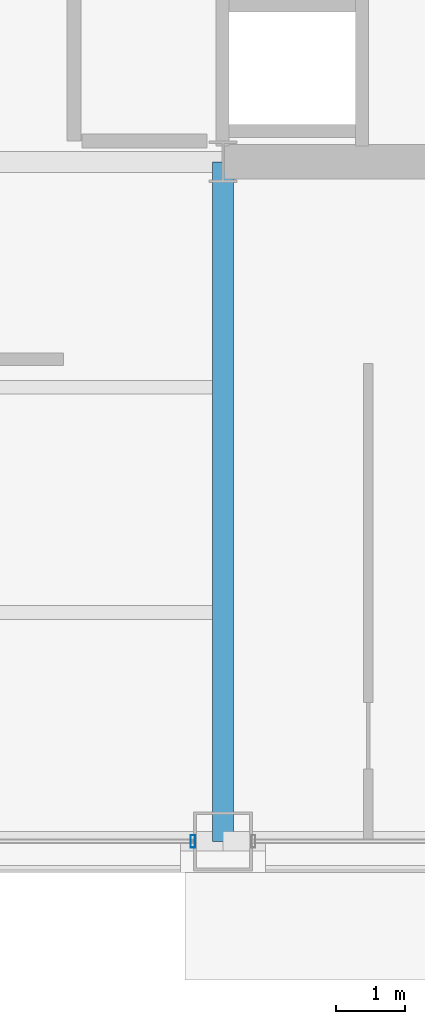
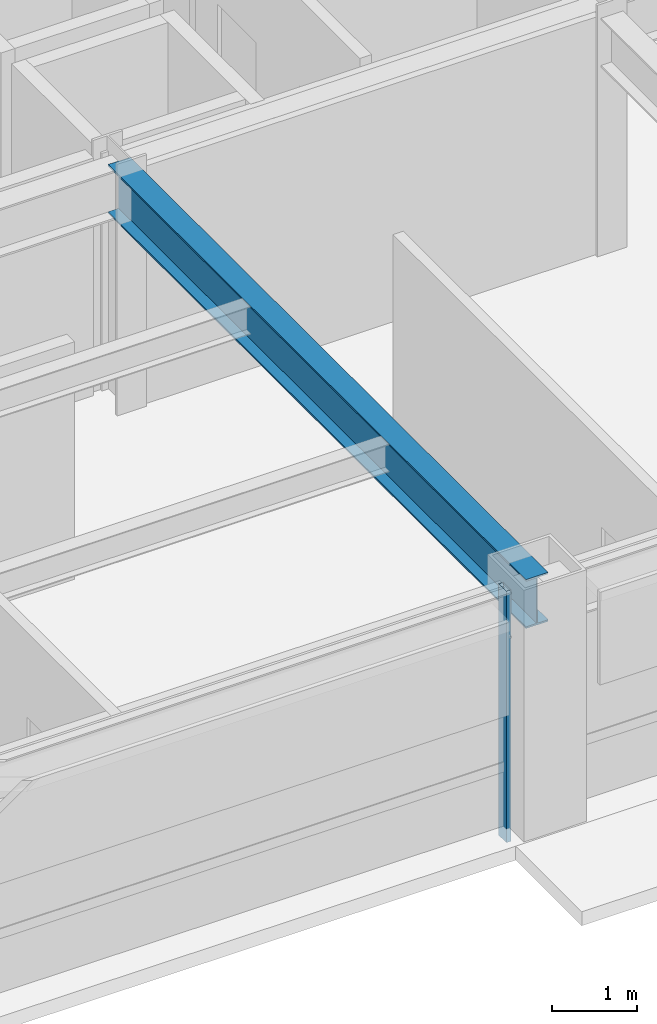
# One storey, part 8 of 34: 1 beam, 1 member, 1 element without a shape of its own.
"""IFC4 building model written with IfcOpenShell, lengths in metres."""

from ifc_helpers import new_model, si_unit, direction, frame, origin, origin_2d, place, context, subcontext, project, spatial, hollow_rectangle, i_section, extrude, material, layer, layer_set, material_profile, profile_set, type_object, element, aggregate, save


model = new_model("IFC4")

# Units and contexts
model_context = context("Model", 3, precision=1e-05, world=origin(), true_north=direction((0.0, 1.0)))
body_context = subcontext(model_context, "Body", "Model", "MODEL_VIEW")
ifc_project = project(units=[si_unit("LENGTHUNIT", "METRE"), si_unit("AREAUNIT", "SQUARE_METRE"), si_unit("VOLUMEUNIT", "CUBIC_METRE"), si_unit("PLANEANGLEUNIT", "RADIAN"), si_unit("MASSUNIT", "GRAM", prefix="KILO")], contexts=[model_context])

# Site, building, storey
site_placement = place(None, origin())
site = spatial("IfcSite", under=ifc_project, at=site_placement, CompositionType="ELEMENT")
building_placement = place(site_placement, origin())
building = spatial("IfcBuilding", under=site, at=building_placement, Name="Brelmoor Portico Tower", CompositionType="ELEMENT")
storey_placement = place(building_placement, frame((0.0, 0.0, 117.0)))
storey = spatial("IfcBuildingStorey", under=building, at=storey_placement, Name="L30", CompositionType="ELEMENT", Elevation=117.0)

# Beam
ifc_material_1 = material(Name="Steel Q355B", Category="steel")
ifc_material_profile_1 = material_profile(ifc_material_1, i_section(OverallWidth=0.300048828125, OverallDepth=0.699951171875, WebThickness=0.012939453125, FlangeThickness=0.02392578125, at=origin_2d()), Name="HN 700x300x13x24")
ifc_profile_set_1 = profile_set([ifc_material_profile_1], Name="Steel Q355B")
beam_type = type_object("IfcBeamType", Name="BM-PG-700", PredefinedType="BEAM", material=ifc_profile_set_1)
beam_placement = place(storey_placement, frame((8.050048828125, -19.550048828125, 3.050048828125), z_axis=(0.0, 1.0, 0.0), x_axis=(-1.0, 0.0, 0.0)))
element("IfcBeam", 1, at=beam_placement, inside=storey, type_object=beam_type, Name="L30 Primary Floor Girder PG-08", PredefinedType="BEAM", context=body_context, shape_type="SweptSolid", body=[
    extrude(i_section(OverallWidth=0.300048828125, OverallDepth=0.699951171875, WebThickness=0.012939453125, FlangeThickness=0.02392578125, at=origin_2d()), origin(), (0.0, 0.0, 1.0), 9.800048828125),
])

# Curtain wall, member
ifc_material_2 = material(Name="Anodised Aluminium Alloy 6063-T6", Category="aluminium")
ifc_layer = layer(ifc_material_2, 0.179931640625)
ifc_layer_set = layer_set([ifc_layer], Name="Anodised Aluminium Alloy 6063-T6")
curtain_wall_type = type_object("IfcCurtainWallType", Name="CW-TOWER-Z2", PredefinedType="NOTDEFINED", material=ifc_layer_set)
curtain_wall_placement = place(storey_placement, origin())
curtain_wall = element("IfcCurtainWall", 2, at=curtain_wall_placement, inside=storey, type_object=curtain_wall_type, Name="L30 Curtain Wall CW-L30-01-3", PredefinedType="NOTDEFINED")
ifc_material_profile_2 = material_profile(ifc_material_2, hollow_rectangle(XDim=0.06494140625, YDim=0.179931640625, WallThickness=0.00390625, at=origin_2d()), Name="ALU MULLION 65x180")
ifc_profile_set_2 = profile_set([ifc_material_profile_2], Name="Anodised Aluminium Alloy 6063-T6")
member_type = type_object("IfcMemberType", Name="MB-CW-MULL-180", PredefinedType="MULLION", material=ifc_profile_set_2)
member_placement = place(storey_placement, frame((7.614990234375, -19.550048828125, -0.199951171875), z_axis=(0.0, 0.0, 1.0), x_axis=(1.0, 0.0, 0.0)))
member = element("IfcMember", 3, at=member_placement, type_object=member_type, Name="CW-L30-01-3 Mullion 01", PredefinedType="MULLION", context=body_context, shape_type="SweptSolid", body=[
    extrude(hollow_rectangle(XDim=0.06494140625, YDim=0.179931640625, WallThickness=0.00390625, at=origin_2d()), origin(), (0.0, 0.0, 1.0), 3.599853515625),
])
aggregate(curtain_wall, [member])

save(model, "model.ifc")
